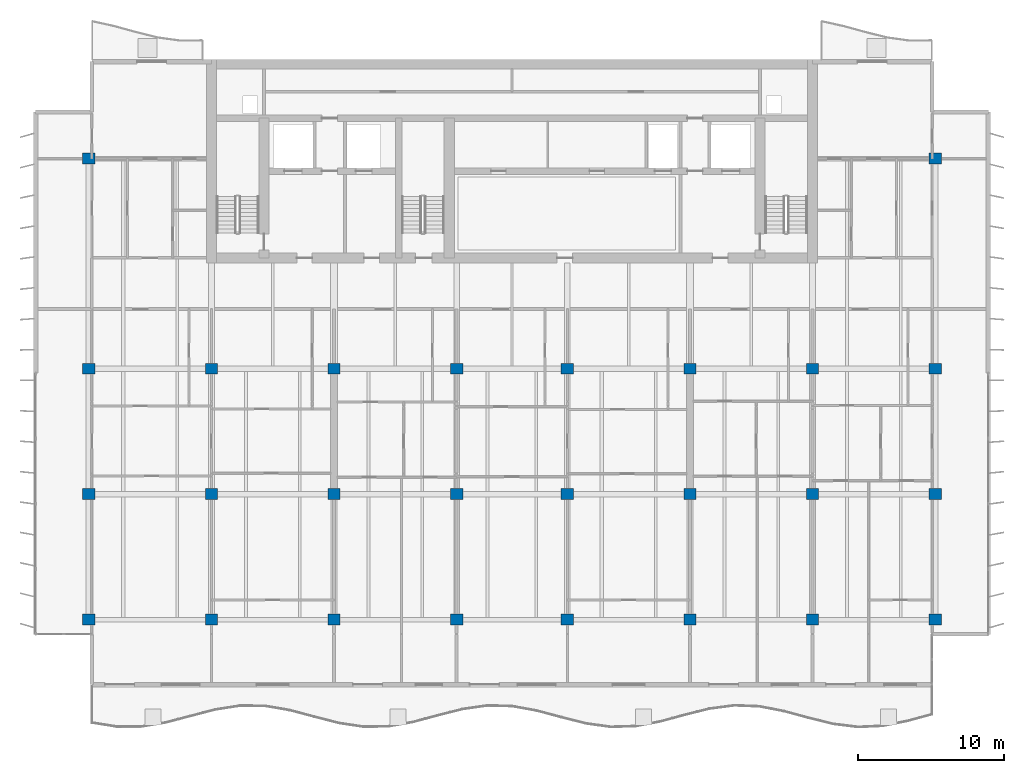
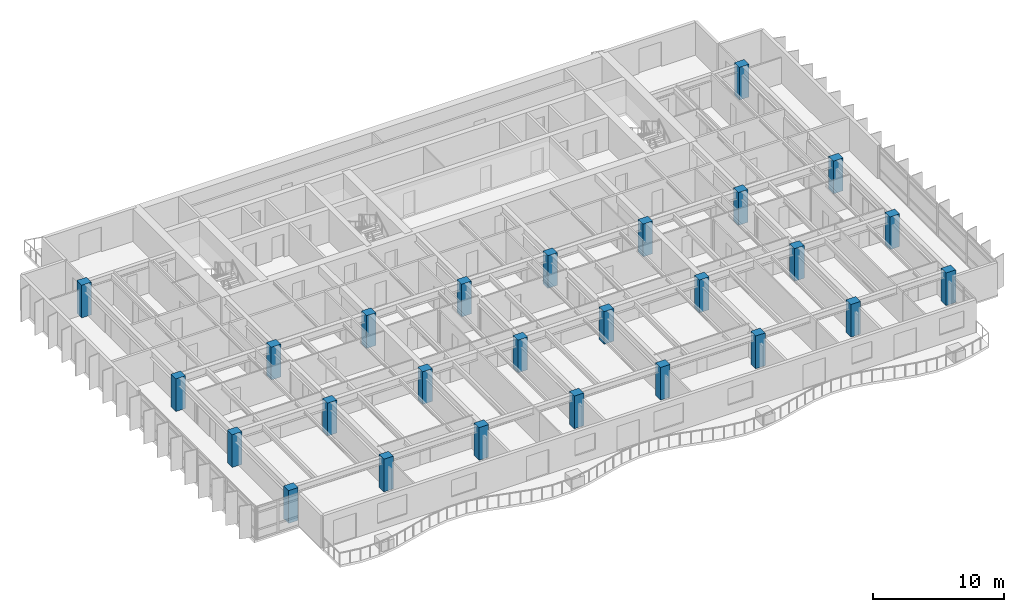
# One storey, part 1 of 19: 26 columns.
"""IFC4 building model written with IfcOpenShell, lengths in metres."""

from ifc_helpers import new_model, si_unit, direction, frame, origin, origin_2d, place, context, subcontext, project, spatial, rectangle, extrude, material, material_profile, profile_set, type_object, element, save


model = new_model("IFC4")

# Units and contexts
model_context = context("Model", 3, precision=1e-05, world=origin(), true_north=direction((0.0, 1.0)))
body_context = subcontext(model_context, "Body", "Model", "MODEL_VIEW")
ifc_project = project(units=[si_unit("LENGTHUNIT", "METRE"), si_unit("AREAUNIT", "SQUARE_METRE"), si_unit("VOLUMEUNIT", "CUBIC_METRE"), si_unit("PLANEANGLEUNIT", "RADIAN"), si_unit("MASSUNIT", "GRAM", prefix="KILO")], contexts=[model_context])

# Site, building, storey
site_placement = place(None, origin())
site = spatial("IfcSite", under=ifc_project, at=site_placement, CompositionType="ELEMENT")
building_placement = place(site_placement, origin())
building = spatial("IfcBuilding", under=site, at=building_placement, Name="Caelmar Bay Residences", CompositionType="ELEMENT")
storey_placement = place(building_placement, frame((0.0, 0.0, 195.0)))
storey = spatial("IfcBuildingStorey", under=building, at=storey_placement, Name="L54", CompositionType="ELEMENT", Elevation=195.0)

# Columns
ifc_material = material(Name="Concrete f'c 55 MPa (8,000 psi)", Category="concrete")
ifc_material_profile = material_profile(ifc_material, rectangle(XDim=0.85009765625, YDim=0.75, at=origin_2d()), Name="RC-COL-850X750")
ifc_profile_set = profile_set([ifc_material_profile], Name="Concrete f'c 55 MPa (8,000 psi)")
column_type = type_object("IfcColumnType", Name="COL-RC-850X750", PredefinedType="COLUMN", material=ifc_profile_set)
for number, where, z_axis, x_axis, name in (
    (1, (9.89990234375, 12.199951171875, 0.0), (0.0, 0.0, 1.0), (1.0, 0.0, 0.0), "L54 Column (9.90,12.20)"),
    (2, (18.300048828125, 12.199951171875, 0.0), (0.0, 0.0, 1.0), (1.0, 0.0, 0.0), "L54 Column (18.30,12.20)"),
    (3, (26.699951171875, 12.199951171875, 0.0), (0.0, 0.0, 1.0), (1.0, 0.0, 0.0), "L54 Column (26.70,12.20)"),
    (4, (35.10009765625, 12.199951171875, 0.0), (0.0, 0.0, 1.0), (1.0, 0.0, 0.0), "L54 Column (35.10,12.20)"),
    (5, (42.699951171875, 12.199951171875, 0.0), (0.0, 0.0, 1.0), (1.0, 0.0, 0.0), "L54 Column (42.70,12.20)"),
    (6, (51.10009765625, 12.199951171875, 0.0), (0.0, 0.0, 1.0), (1.0, 0.0, 0.0), "L54 Column (51.10,12.20)"),
    (7, (59.5, 12.199951171875, 0.0), (0.0, 0.0, 1.0), (1.0, 0.0, 0.0), "L54 Column (59.50,12.20)"),
    (8, (67.89990234375, 12.199951171875, 0.0), (0.0, 0.0, 1.0), (1.0, 0.0, 0.0), "L54 Column (67.90,12.20)"),
    (9, (9.89990234375, 20.800048828125, 0.0), (0.0, 0.0, 1.0), (1.0, 0.0, 0.0), "L54 Column (9.90,20.80)"),
    (10, (18.300048828125, 20.800048828125, 0.0), (0.0, 0.0, 1.0), (1.0, 0.0, 0.0), "L54 Column (18.30,20.80)"),
    (11, (26.699951171875, 20.800048828125, 0.0), (0.0, 0.0, 1.0), (1.0, 0.0, 0.0), "L54 Column (26.70,20.80)"),
    (12, (35.10009765625, 20.800048828125, 0.0), (0.0, 0.0, 1.0), (1.0, 0.0, 0.0), "L54 Column (35.10,20.80)"),
    (13, (42.699951171875, 20.800048828125, 0.0), (0.0, 0.0, 1.0), (1.0, 0.0, 0.0), "L54 Column (42.70,20.80)"),
    (14, (51.10009765625, 20.800048828125, 0.0), (0.0, 0.0, 1.0), (1.0, 0.0, 0.0), "L54 Column (51.10,20.80)"),
    (15, (59.5, 20.800048828125, 0.0), (0.0, 0.0, 1.0), (1.0, 0.0, 0.0), "L54 Column (59.50,20.80)"),
    (16, (67.89990234375, 20.800048828125, 0.0), (0.0, 0.0, 1.0), (1.0, 0.0, 0.0), "L54 Column (67.90,20.80)"),
    (17, (9.89990234375, 29.39990234375, 0.0), (0.0, 0.0, 1.0), (1.0, 0.0, 0.0), "L54 Column (9.90,29.40)"),
    (18, (18.300048828125, 29.39990234375, 0.0), (0.0, 0.0, 1.0), (1.0, 0.0, 0.0), "L54 Column (18.30,29.40)"),
    (19, (26.699951171875, 29.39990234375, 0.0), (0.0, 0.0, 1.0), (1.0, 0.0, 0.0), "L54 Column (26.70,29.40)"),
    (20, (35.10009765625, 29.39990234375, 0.0), (0.0, 0.0, 1.0), (1.0, 0.0, 0.0), "L54 Column (35.10,29.40)"),
    (21, (42.699951171875, 29.39990234375, 0.0), (0.0, 0.0, 1.0), (1.0, 0.0, 0.0), "L54 Column (42.70,29.40)"),
    (22, (51.10009765625, 29.39990234375, 0.0), (0.0, 0.0, 1.0), (1.0, 0.0, 0.0), "L54 Column (51.10,29.40)"),
    (23, (59.5, 29.39990234375, 0.0), (0.0, 0.0, 1.0), (1.0, 0.0, 0.0), "L54 Column (59.50,29.40)"),
    (24, (67.89990234375, 29.39990234375, 0.0), (0.0, 0.0, 1.0), (1.0, 0.0, 0.0), "L54 Column (67.90,29.40)"),
    (25, (9.89990234375, 43.800048828125, 0.0), (0.0, 0.0, 1.0), (1.0, 0.0, 0.0), "L54 Column (9.90,43.80)"),
    (26, (67.89990234375, 43.800048828125, 0.0), (0.0, 0.0, 1.0), (1.0, 0.0, 0.0), "L54 Column (67.90,43.80)"),
):
    element("IfcColumn", number, at=place(storey_placement, frame(where, z_axis=z_axis, x_axis=x_axis)), inside=storey, type_object=column_type, Name=name, PredefinedType="COLUMN", context=body_context, shape_type="SweptSolid", body=[
        extrude(rectangle(XDim=0.85009765625, YDim=0.75, at=origin_2d()), origin(), (0.0, 0.0, 1.0), 3.050048828125),
    ])

save(model, "model.ifc")
